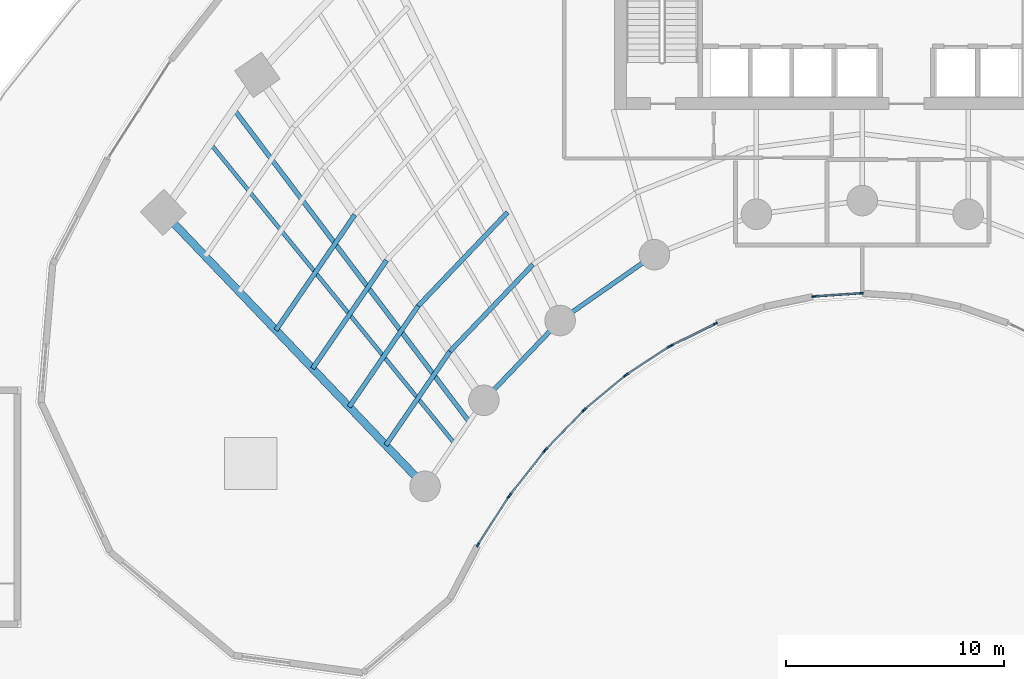
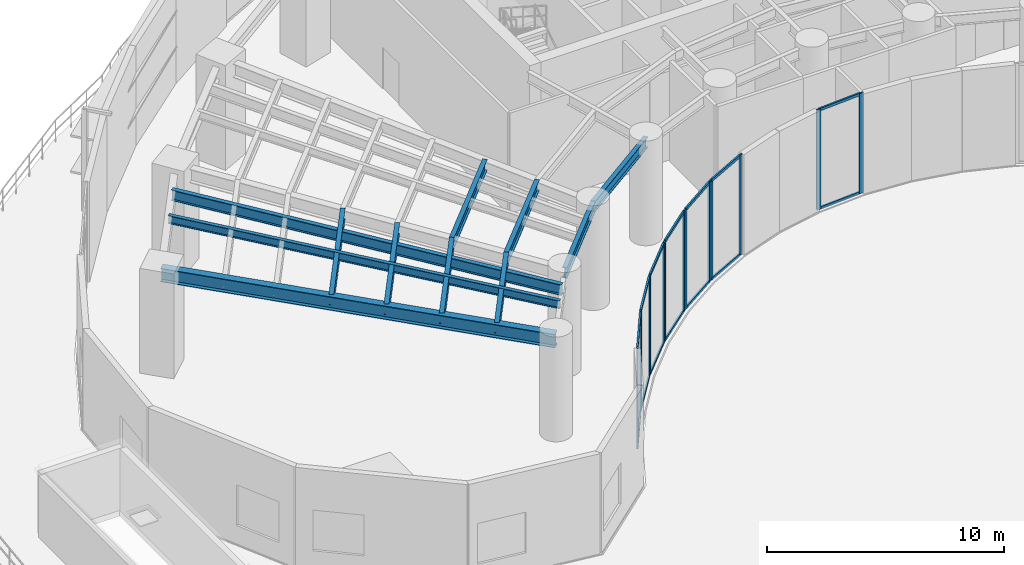
# One storey, part 2 of 17: 28 members, 11 beams, 7 elements without a shape of their own.
"""IFC4 building model written with IfcOpenShell, lengths in metres."""

from ifc_helpers import new_model, si_unit, direction, frame, origin, origin_2d, place, context, subcontext, project, spatial, rectangle, i_section, extrude, source, transform, mapped, material, layer, layer_set, material_profile, profile_set, type_object, type_shapes, element, aggregate, save


model = new_model("IFC4")

# Units and contexts
model_context = context("Model", 3, precision=1e-05, world=origin(), true_north=direction((0.0, 1.0)))
body_context = subcontext(model_context, "Body", "Model", "MODEL_VIEW")
ifc_project = project(units=[si_unit("LENGTHUNIT", "METRE"), si_unit("AREAUNIT", "SQUARE_METRE"), si_unit("VOLUMEUNIT", "CUBIC_METRE"), si_unit("PLANEANGLEUNIT", "RADIAN"), si_unit("MASSUNIT", "GRAM", prefix="KILO")], contexts=[model_context])

# Site, building, storey
site_placement = place(None, origin())
site = spatial("IfcSite", under=ifc_project, at=site_placement, CompositionType="ELEMENT")
building_placement = place(site_placement, origin())
building = spatial("IfcBuilding", under=site, at=building_placement, Name="Breltana Convention Tower", CompositionType="ELEMENT")
storey_placement = place(building_placement, frame((0.0, 0.0, 30.0)))
storey = spatial("IfcBuildingStorey", under=building, at=storey_placement, Name="L05", CompositionType="ELEMENT", Elevation=30.0)

# Beams
ifc_material_1 = material(Name="Steel ASTM A992 Grade 50", Category="steel")
ifc_material_profile_1 = material_profile(ifc_material_1, i_section(OverallWidth=0.35498046875, OverallDepth=0.696044921875, WebThickness=0.015380859375, FlangeThickness=0.02490234375, at=origin_2d()), Name="W27X146")
ifc_profile_set_1 = profile_set([ifc_material_profile_1], Name="Steel ASTM A992 Grade 50")
beam_type_1 = type_object("IfcBeamType", Name="BM-RG-W27X146", PredefinedType="USERDEFINED", material=ifc_profile_set_1)
shared_shape_1 = source(origin(), body_context, "Body", "SweptSolid", [
    extrude(i_section(OverallWidth=0.35498046875, OverallDepth=0.696044921875, WebThickness=0.015380859375, FlangeThickness=0.02490234375, at=origin_2d()), origin(), (0.0, 0.0, 1.0), 17.341064453125),
])
type_shapes(beam_type_1, [shared_shape_1])
beam_1_placement = place(storey_placement, frame((27.984619140625, 42.95458984375, 4.81201171875), z_axis=(-0.690716462293, 0.723125693581, 0.0), x_axis=(-0.723125693581, -0.690716462293, 0.0)))
element("IfcBeam", 1, at=beam_1_placement, inside=storey, type_object=beam_type_1, Name="L05 Radial Floor Girder R01", ObjectType="GIRDER", PredefinedType="USERDEFINED", context=body_context, shape_type="MappedRepresentation", body=[
    mapped(shared_shape_1, transform((0.0, 0.0, 0.0), scale=1.0)),
])
ifc_material_profile_2 = material_profile(ifc_material_1, i_section(OverallWidth=0.214111328125, OverallDepth=0.549072265625, WebThickness=0.0146484375, FlangeThickness=0.023681640625, at=origin_2d()), Name="W21X93")
ifc_profile_set_2 = profile_set([ifc_material_profile_2], Name="Steel ASTM A992 Grade 50")
beam_type_2 = type_object("IfcBeamType", Name="BM-JSG-03", PredefinedType="JOIST", material=ifc_profile_set_2)
shared_shape_2 = source(origin(), body_context, "Body", "SweptSolid", [
    extrude(i_section(OverallWidth=0.214111328125, OverallDepth=0.549072265625, WebThickness=0.0146484375, FlangeThickness=0.023681640625, at=origin_2d()), origin(), (0.0, 0.0, 1.0), 5.198486328125),
])
type_shapes(beam_type_2, [shared_shape_2])
beam_2_placement = place(storey_placement, frame((26.187744140625, 44.835693359375, 4.885498046875), z_axis=(0.564502073134, 0.825431650367, 0.0), x_axis=(-0.825431650367, 0.564502073134, 0.0)))
element("IfcBeam", 2, at=beam_2_placement, inside=storey, type_object=beam_type_2, Name="L05 Composite Floor Joist 01.1", PredefinedType="JOIST", context=body_context, shape_type="MappedRepresentation", body=[
    mapped(shared_shape_2, transform((0.0, 0.0, 0.0), scale=1.0)),
])
shared_shape_3 = source(origin(), body_context, "Body", "SweptSolid", [
    extrude(i_section(OverallWidth=0.214111328125, OverallDepth=0.549072265625, WebThickness=0.0146484375, FlangeThickness=0.023681640625, at=origin_2d()), origin(), (0.0, 0.0, 1.0), 5.59814453125),
])
beam_3_placement = place(storey_placement, frame((24.510986328125, 46.59130859375, 4.885498046875), z_axis=(0.564454073219, 0.825464474842, 0.0), x_axis=(-0.825464474842, 0.564454073219, 0.0)))
element("IfcBeam", 3, at=beam_3_placement, inside=storey, type_object=beam_type_2, Name="L05 Composite Floor Joist 01.2", PredefinedType="JOIST", context=body_context, shape_type="MappedRepresentation", body=[
    mapped(shared_shape_3, transform((0.0, 0.0, 0.0), scale=1.0)),
])
shared_shape_4 = source(origin(), body_context, "Body", "SweptSolid", [
    extrude(i_section(OverallWidth=0.214111328125, OverallDepth=0.549072265625, WebThickness=0.0146484375, FlangeThickness=0.023681640625, at=origin_2d()), origin(), (0.0, 0.0, 1.0), 5.998046875),
])
beam_4_placement = place(storey_placement, frame((22.833984375, 48.3466796875, 4.885498046875), z_axis=(0.564467940449, 0.825454992235, 0.0), x_axis=(-0.825454992235, 0.564467940449, 0.0)))
element("IfcBeam", 4, at=beam_4_placement, inside=storey, type_object=beam_type_2, Name="L05 Composite Floor Joist 01.3", PredefinedType="JOIST", context=body_context, shape_type="MappedRepresentation", body=[
    mapped(shared_shape_4, transform((0.0, 0.0, 0.0), scale=1.0)),
])
shared_shape_5 = source(origin(), body_context, "Body", "SweptSolid", [
    extrude(i_section(OverallWidth=0.214111328125, OverallDepth=0.549072265625, WebThickness=0.0146484375, FlangeThickness=0.023681640625, at=origin_2d()), origin(), (0.0, 0.0, 1.0), 6.3974609375),
])
beam_5_placement = place(storey_placement, frame((21.1572265625, 50.102294921875, 4.885498046875), z_axis=(0.564445851125, 0.825470097065, 0.0), x_axis=(-0.825470097065, 0.564445851125, 0.0)))
element("IfcBeam", 5, at=beam_5_placement, inside=storey, type_object=beam_type_2, Name="L05 Composite Floor Joist 01.4", PredefinedType="JOIST", context=body_context, shape_type="MappedRepresentation", body=[
    mapped(shared_shape_5, transform((0.0, 0.0, 0.0), scale=1.0)),
])
ifc_material_profile_3 = material_profile(ifc_material_1, i_section(OverallWidth=0.179931640625, OverallDepth=0.4130859375, WebThickness=0.009765625, FlangeThickness=0.01611328125, at=origin_2d()), Name="W16X50")
ifc_profile_set_3 = profile_set([ifc_material_profile_3], Name="Steel ASTM A992 Grade 50")
beam_type_3 = type_object("IfcBeamType", Name="BM-JSG-08", PredefinedType="JOIST", material=ifc_profile_set_3)
shared_shape_6 = source(origin(), body_context, "Body", "SweptSolid", [
    extrude(i_section(OverallWidth=0.179931640625, OverallDepth=0.4130859375, WebThickness=0.009765625, FlangeThickness=0.01611328125, at=origin_2d()), origin(), (0.0, 0.0, 1.0), 17.691650390625),
])
type_shapes(beam_type_3, [shared_shape_6])
beam_6_placement = place(storey_placement, frame((29.330810546875, 44.923583984375, 4.95361328125), z_axis=(-0.631476958478, 0.775394642044, 0.0), x_axis=(-0.775394642044, -0.631476958478, 0.0)))
element("IfcBeam", 6, at=beam_6_placement, inside=storey, type_object=beam_type_3, Name="L05 Mid-Bay Radial Trimmer 01", PredefinedType="JOIST", context=body_context, shape_type="MappedRepresentation", body=[
    mapped(shared_shape_6, transform((0.0, 0.0, 0.0), scale=1.0)),
])
shared_shape_7 = source(origin(), body_context, "Body", "SweptSolid", [
    extrude(i_section(OverallWidth=0.214111328125, OverallDepth=0.549072265625, WebThickness=0.0146484375, FlangeThickness=0.023681640625, at=origin_2d()), origin(), (0.0, 0.0, 1.0), 17.9072265625),
])
beam_7_placement = place(storey_placement, frame((30.00390625, 45.907958984375, 4.885498046875), z_axis=(-0.601382105028, 0.798961553363, 0.0), x_axis=(-0.798961553363, -0.601382105028, 0.0)))
element("IfcBeam", 7, at=beam_7_placement, inside=storey, type_object=beam_type_2, Name="L05 Quarter-Bay Radial Trimmer 01", PredefinedType="JOIST", context=body_context, shape_type="MappedRepresentation", body=[
    mapped(shared_shape_7, transform((0.0, 0.0, 0.0), scale=1.0)),
])
ifc_material_profile_4 = material_profile(ifc_material_1, i_section(OverallWidth=0.2099609375, OverallDepth=0.537109375, WebThickness=0.010986328125, FlangeThickness=0.017333984375, at=origin_2d()), Name="W21X68")
ifc_profile_set_4 = profile_set([ifc_material_profile_4], Name="Steel ASTM A992 Grade 50")
beam_type_4 = type_object("IfcBeamType", Name="BM-BM-W21X68", PredefinedType="BEAM", material=ifc_profile_set_4)
shared_shape_8 = source(origin(), body_context, "Body", "SweptSolid", [
    extrude(i_section(OverallWidth=0.2099609375, OverallDepth=0.537109375, WebThickness=0.010986328125, FlangeThickness=0.017333984375, at=origin_2d()), origin(), (0.0, 0.0, 1.0), 5.05126953125),
])
beam_8_placement = place(storey_placement, frame((30.67724609375, 46.892333984375, 4.8916015625), z_axis=(0.690729753845, 0.7231129975, 0.0), x_axis=(-0.7231129975, 0.690729753845, 0.0)))
element("IfcBeam", 8, at=beam_8_placement, inside=storey, type_object=beam_type_4, Name="L05 Inner Ring Beam 02", PredefinedType="BEAM", context=body_context, shape_type="MappedRepresentation", body=[
    mapped(shared_shape_8, transform((0.0, 0.0, 0.0), scale=1.0)),
])
shared_shape_9 = source(origin(), body_context, "Body", "SweptSolid", [
    extrude(i_section(OverallWidth=0.214111328125, OverallDepth=0.549072265625, WebThickness=0.0146484375, FlangeThickness=0.023681640625, at=origin_2d()), origin(), (0.0, 0.0, 1.0), 5.504638671875),
])
beam_9_placement = place(storey_placement, frame((29.122314453125, 49.126708984375, 4.885498046875), z_axis=(0.690687741728, 0.72315312585, 0.0), x_axis=(-0.72315312585, 0.690687741728, 0.0)))
element("IfcBeam", 9, at=beam_9_placement, inside=storey, type_object=beam_type_2, Name="L05 Composite Floor Joist 02.1", PredefinedType="JOIST", context=body_context, shape_type="MappedRepresentation", body=[
    mapped(shared_shape_9, transform((0.0, 0.0, 0.0), scale=1.0)),
])
shared_shape_10 = source(origin(), body_context, "Body", "SweptSolid", [
    extrude(i_section(OverallWidth=0.214111328125, OverallDepth=0.549072265625, WebThickness=0.0146484375, FlangeThickness=0.023681640625, at=origin_2d()), origin(), (0.0, 0.0, 1.0), 5.927734375),
])
beam_10_placement = place(storey_placement, frame((27.6708984375, 51.21240234375, 4.885498046875), z_axis=(0.69073528717, 0.723107711934, 0.0), x_axis=(-0.723107711934, 0.69073528717, 0.0)))
element("IfcBeam", 10, at=beam_10_placement, inside=storey, type_object=beam_type_2, Name="L05 Composite Floor Joist 02.2", PredefinedType="JOIST", context=body_context, shape_type="MappedRepresentation", body=[
    mapped(shared_shape_10, transform((0.0, 0.0, 0.0), scale=1.0)),
])
shared_shape_11 = source(origin(), body_context, "Body", "SweptSolid", [
    extrude(i_section(OverallWidth=0.2099609375, OverallDepth=0.537109375, WebThickness=0.010986328125, FlangeThickness=0.017333984375, at=origin_2d()), origin(), (0.0, 0.0, 1.0), 5.265869140625),
])
beam_11_placement = place(storey_placement, frame((34.166259765625, 50.544921875, 4.8916015625), z_axis=(0.820167429517, 0.572123577176, 0.0), x_axis=(-0.572123577176, 0.820167429517, 0.0)))
element("IfcBeam", 11, at=beam_11_placement, inside=storey, type_object=beam_type_4, Name="L05 Inner Ring Beam 03", PredefinedType="BEAM", context=body_context, shape_type="MappedRepresentation", body=[
    mapped(shared_shape_11, transform((0.0, 0.0, 0.0), scale=1.0)),
])

# Curtain wall, members
ifc_material_2 = material(Name="Aluminium Anodised Bronze Frame", Category="aluminium")
ifc_layer = layer(ifc_material_2, 0.18994140625, Name="Aluminium Anodised Bronze Frame")
ifc_layer_set = layer_set([ifc_layer], Name="Aluminium Anodised Bronze Frame")
curtain_wall_type = type_object("IfcCurtainWallType", Name="CW-SYS-1", PredefinedType="NOTDEFINED", material=ifc_layer_set)
curtain_wall_1_placement = place(storey_placement, origin())
curtain_wall_1 = element("IfcCurtainWall", 12, at=curtain_wall_1_placement, inside=storey, type_object=curtain_wall_type, Name="L05 inner south-court glazing 7", PredefinedType="NOTDEFINED")
ifc_material_3 = material(Name="Aluminium Anodised Bronze", Category="aluminium")
ifc_material_profile_5 = material_profile(ifc_material_3, rectangle(XDim=0.080078125, YDim=0.199951171875, at=origin_2d()), Name="CWM-80X200")
ifc_profile_set_5 = profile_set([ifc_material_profile_5], Name="Aluminium Anodised Bronze")
member_type_1 = type_object("IfcMemberType", Name="CWM-200", PredefinedType="MULLION", material=ifc_profile_set_5)
shared_shape_12 = source(origin(), body_context, "Body", "SweptSolid", [
    extrude(rectangle(XDim=0.080078125, YDim=0.199951171875, at=origin_2d()), origin(), (0.0, 0.0, 1.0), 5.159912109375),
])
type_shapes(member_type_1, [shared_shape_12])
member_1_placement = place(storey_placement, frame((47.947998046875, 51.790771484375, 0.0), z_axis=(0.0, 0.0, 1.0), x_axis=(0.067725752326, -0.997703975371, 0.0)))
member_1 = element("IfcMember", 13, at=member_1_placement, type_object=member_type_1, Name="CW-01 mullion 1", PredefinedType="MULLION", context=body_context, shape_type="MappedRepresentation", body=[
    mapped(shared_shape_12, transform((0.0, 0.0, 0.0), scale=1.0)),
])
member_2_placement = place(storey_placement, frame((45.79443359375, 51.644775390625, 0.0), z_axis=(0.0, 0.0, 1.0), x_axis=(0.067725752326, -0.997703975371, 0.0)))
member_2 = element("IfcMember", 14, at=member_2_placement, type_object=member_type_1, Name="CW-01 mullion 2", PredefinedType="MULLION", context=body_context, shape_type="MappedRepresentation", body=[
    mapped(shared_shape_12, transform((0.0, 0.0, 0.0), scale=1.0)),
])

curtain_wall_2_placement = place(storey_placement, origin())
curtain_wall_2 = element("IfcCurtainWall", 15, at=curtain_wall_2_placement, inside=storey, type_object=curtain_wall_type, Name="L05 inner south-court glazing 8", PredefinedType="NOTDEFINED")
member_3_placement = place(storey_placement, frame((41.275390625, 50.40234375, 0.0), z_axis=(0.0, 0.0, 1.0), x_axis=(0.444117987602, -0.895968310315, 0.0)))
member_3 = element("IfcMember", 16, at=member_3_placement, type_object=member_type_1, Name="CW-01 mullion 1", PredefinedType="MULLION", context=body_context, shape_type="MappedRepresentation", body=[
    mapped(shared_shape_12, transform((0.0, 0.0, 0.0), scale=1.0)),
])
member_4_placement = place(storey_placement, frame((39.249755859375, 49.3984375, 0.0), z_axis=(0.0, 0.0, 1.0), x_axis=(0.444117987602, -0.895968310315, 0.0)))
member_4 = element("IfcMember", 17, at=member_4_placement, type_object=member_type_1, Name="CW-01 mullion 2", PredefinedType="MULLION", context=body_context, shape_type="MappedRepresentation", body=[
    mapped(shared_shape_12, transform((0.0, 0.0, 0.0), scale=1.0)),
])

curtain_wall_3_placement = place(storey_placement, origin())
curtain_wall_3 = element("IfcCurtainWall", 18, at=curtain_wall_3_placement, inside=storey, type_object=curtain_wall_type, Name="L05 inner south-court glazing 9", PredefinedType="NOTDEFINED")
member_5_placement = place(storey_placement, frame((39.16162109375, 49.347900390625, 0.0), z_axis=(0.0, 0.0, 1.0), x_axis=(0.548778278441, -0.835967942634, 0.0)))
member_5 = element("IfcMember", 19, at=member_5_placement, type_object=member_type_1, Name="CW-01 mullion 1", PredefinedType="MULLION", context=body_context, shape_type="MappedRepresentation", body=[
    mapped(shared_shape_12, transform((0.0, 0.0, 0.0), scale=1.0)),
])
member_6_placement = place(storey_placement, frame((37.220458984375, 48.073486328125, 0.0), z_axis=(0.0, 0.0, 1.0), x_axis=(0.548778278441, -0.835967942634, 0.0)))
member_6 = element("IfcMember", 20, at=member_6_placement, type_object=member_type_1, Name="CW-01 mullion 2", PredefinedType="MULLION", context=body_context, shape_type="MappedRepresentation", body=[
    mapped(shared_shape_12, transform((0.0, 0.0, 0.0), scale=1.0)),
])

curtain_wall_4_placement = place(storey_placement, origin())
curtain_wall_4 = element("IfcCurtainWall", 21, at=curtain_wall_4_placement, inside=storey, type_object=curtain_wall_type, Name="L05 inner south-court glazing 10", PredefinedType="NOTDEFINED")
member_7_placement = place(storey_placement, frame((37.1396484375, 48.013671875, 0.0), z_axis=(0.0, 0.0, 1.0), x_axis=(0.640522524458, -0.767939382804, 0.0)))
member_7 = element("IfcMember", 22, at=member_7_placement, type_object=member_type_1, Name="CW-01 mullion 1", PredefinedType="MULLION", context=body_context, shape_type="MappedRepresentation", body=[
    mapped(shared_shape_12, transform((0.0, 0.0, 0.0), scale=1.0)),
])
member_8_placement = place(storey_placement, frame((35.302734375, 46.481201171875, 0.0), z_axis=(0.0, 0.0, 1.0), x_axis=(0.640522524458, -0.767939382804, 0.0)))
member_8 = element("IfcMember", 23, at=member_8_placement, type_object=member_type_1, Name="CW-01 mullion 2", PredefinedType="MULLION", context=body_context, shape_type="MappedRepresentation", body=[
    mapped(shared_shape_12, transform((0.0, 0.0, 0.0), scale=1.0)),
])

curtain_wall_5_placement = place(storey_placement, origin())
curtain_wall_5 = element("IfcCurtainWall", 24, at=curtain_wall_5_placement, inside=storey, type_object=curtain_wall_type, Name="L05 inner south-court glazing 11", PredefinedType="NOTDEFINED")
member_9_placement = place(storey_placement, frame((35.22998046875, 46.413818359375, 0.0), z_axis=(0.0, 0.0, 1.0), x_axis=(0.719384548773, -0.694612029111, 0.0)))
member_9 = element("IfcMember", 25, at=member_9_placement, type_object=member_type_1, Name="CW-01 mullion 1", PredefinedType="MULLION", context=body_context, shape_type="MappedRepresentation", body=[
    mapped(shared_shape_12, transform((0.0, 0.0, 0.0), scale=1.0)),
])
member_10_placement = place(storey_placement, frame((33.51611328125, 44.638916015625, 0.0), z_axis=(0.0, 0.0, 1.0), x_axis=(0.719384548773, -0.694612029111, 0.0)))
member_10 = element("IfcMember", 26, at=member_10_placement, type_object=member_type_1, Name="CW-01 mullion 2", PredefinedType="MULLION", context=body_context, shape_type="MappedRepresentation", body=[
    mapped(shared_shape_12, transform((0.0, 0.0, 0.0), scale=1.0)),
])

curtain_wall_6_placement = place(storey_placement, origin())
curtain_wall_6 = element("IfcCurtainWall", 27, at=curtain_wall_6_placement, inside=storey, type_object=curtain_wall_type, Name="L05 inner south-court glazing 12", PredefinedType="NOTDEFINED")
member_11_placement = place(storey_placement, frame((33.45166015625, 44.56494140625, 0.0), z_axis=(0.0, 0.0, 1.0), x_axis=(0.786057762734, -0.61815305034, 0.0)))
member_11 = element("IfcMember", 28, at=member_11_placement, type_object=member_type_1, Name="CW-01 mullion 1", PredefinedType="MULLION", context=body_context, shape_type="MappedRepresentation", body=[
    mapped(shared_shape_12, transform((0.0, 0.0, 0.0), scale=1.0)),
])
member_12_placement = place(storey_placement, frame((31.87890625, 42.565185546875, 0.0), z_axis=(0.0, 0.0, 1.0), x_axis=(0.786057762734, -0.61815305034, 0.0)))
member_12 = element("IfcMember", 29, at=member_12_placement, type_object=member_type_1, Name="CW-01 mullion 2", PredefinedType="MULLION", context=body_context, shape_type="MappedRepresentation", body=[
    mapped(shared_shape_12, transform((0.0, 0.0, 0.0), scale=1.0)),
])

curtain_wall_7_placement = place(storey_placement, origin())
curtain_wall_7 = element("IfcCurtainWall", 30, at=curtain_wall_7_placement, inside=storey, type_object=curtain_wall_type, Name="L05 inner south-court glazing 13", PredefinedType="NOTDEFINED")
member_13_placement = place(storey_placement, frame((31.82275390625, 42.48583984375, 0.0), z_axis=(0.0, 0.0, 1.0), x_axis=(0.841556194767, -0.540169576197, 0.0)))
member_13 = element("IfcMember", 31, at=member_13_placement, type_object=member_type_1, Name="CW-01 mullion 1", PredefinedType="MULLION", context=body_context, shape_type="MappedRepresentation", body=[
    mapped(shared_shape_12, transform((0.0, 0.0, 0.0), scale=1.0)),
])
member_14_placement = place(storey_placement, frame((30.40771484375, 40.281494140625, 0.0), z_axis=(0.0, 0.0, 1.0), x_axis=(0.841556194767, -0.540169576197, 0.0)))
member_14 = element("IfcMember", 32, at=member_14_placement, type_object=member_type_1, Name="CW-01 mullion 2", PredefinedType="MULLION", context=body_context, shape_type="MappedRepresentation", body=[
    mapped(shared_shape_12, transform((0.0, 0.0, 0.0), scale=1.0)),
])

# Member
ifc_material_profile_6 = material_profile(ifc_material_3, rectangle(XDim=0.080078125, YDim=0.139892578125, at=origin_2d()), Name="CWT-80X140")
ifc_profile_set_6 = profile_set([ifc_material_profile_6], Name="Aluminium Anodised Bronze")
member_type_2 = type_object("IfcMemberType", Name="CWT-140", PredefinedType="USERDEFINED", material=ifc_profile_set_6)
shared_shape_13 = source(origin(), body_context, "Body", "SweptSolid", [
    extrude(rectangle(XDim=0.080078125, YDim=0.139892578125, at=origin_2d()), origin(), (0.0, 0.0, 1.0), 2.38720703125),
])
type_shapes(member_type_2, [shared_shape_13])
member_15_placement = place(storey_placement, frame((35.2021484375, 46.385009765625, 0.0400390625), z_axis=(-0.694623715393, -0.719373264734, 0.0), x_axis=(0.719373264734, -0.694623715393, 0.0)))
member_15 = element("IfcMember", 33, at=member_15_placement, type_object=member_type_2, Name="CW-01 transom 1.1", ObjectType="TRANSOM", PredefinedType="USERDEFINED", context=body_context, shape_type="MappedRepresentation", body=[
    mapped(shared_shape_13, transform((0.0, 0.0, 0.0), scale=1.0)),
])

member_16_placement = place(storey_placement, frame((35.2021484375, 46.385009765625, 5.1201171875), z_axis=(-0.694623715393, -0.719373264734, 0.0), x_axis=(0.719373264734, -0.694623715393, 0.0)))
member_16 = element("IfcMember", 34, at=member_16_placement, type_object=member_type_2, Name="CW-01 transom 1.2", ObjectType="TRANSOM", PredefinedType="USERDEFINED", context=body_context, shape_type="MappedRepresentation", body=[
    mapped(shared_shape_13, transform((0.0, 0.0, 0.0), scale=1.0)),
])

aggregate(curtain_wall_5, [member_9, member_10, member_15, member_16])

shared_shape_14 = source(origin(), body_context, "Body", "SweptSolid", [
    extrude(rectangle(XDim=0.080078125, YDim=0.139892578125, at=origin_2d()), origin(), (0.0, 0.0, 1.0), 2.312255859375),
])
member_17_placement = place(storey_placement, frame((37.10888671875, 47.988037109375, 0.0400390625), z_axis=(-0.767900974507, -0.640568570374, 0.0), x_axis=(0.640568570374, -0.767900974507, 0.0)))
member_17 = element("IfcMember", 35, at=member_17_placement, type_object=member_type_2, Name="CW-01 transom 1.1", ObjectType="TRANSOM", PredefinedType="USERDEFINED", context=body_context, shape_type="MappedRepresentation", body=[
    mapped(shared_shape_14, transform((0.0, 0.0, 0.0), scale=1.0)),
])

member_18_placement = place(storey_placement, frame((37.10888671875, 47.988037109375, 5.1201171875), z_axis=(-0.767900974507, -0.640568570374, 0.0), x_axis=(0.640568570374, -0.767900974507, 0.0)))
member_18 = element("IfcMember", 36, at=member_18_placement, type_object=member_type_2, Name="CW-01 transom 1.2", ObjectType="TRANSOM", PredefinedType="USERDEFINED", context=body_context, shape_type="MappedRepresentation", body=[
    mapped(shared_shape_14, transform((0.0, 0.0, 0.0), scale=1.0)),
])

aggregate(curtain_wall_4, [member_7, member_8, member_17, member_18])

shared_shape_15 = source(origin(), body_context, "Body", "SweptSolid", [
    extrude(rectangle(XDim=0.080078125, YDim=0.139892578125, at=origin_2d()), origin(), (0.0, 0.0, 1.0), 2.2421875),
])
member_19_placement = place(storey_placement, frame((39.128173828125, 49.325927734375, 0.0400390625), z_axis=(-0.835982353773, -0.548756324957, 0.0), x_axis=(0.548756324957, -0.835982353773, 0.0)))
member_19 = element("IfcMember", 37, at=member_19_placement, type_object=member_type_2, Name="CW-01 transom 1.1", ObjectType="TRANSOM", PredefinedType="USERDEFINED", context=body_context, shape_type="MappedRepresentation", body=[
    mapped(shared_shape_15, transform((0.0, 0.0, 0.0), scale=1.0)),
])

member_20_placement = place(storey_placement, frame((39.128173828125, 49.325927734375, 5.1201171875), z_axis=(-0.835982353773, -0.548756324957, 0.0), x_axis=(0.548756324957, -0.835982353773, 0.0)))
member_20 = element("IfcMember", 38, at=member_20_placement, type_object=member_type_2, Name="CW-01 transom 1.2", ObjectType="TRANSOM", PredefinedType="USERDEFINED", context=body_context, shape_type="MappedRepresentation", body=[
    mapped(shared_shape_15, transform((0.0, 0.0, 0.0), scale=1.0)),
])

aggregate(curtain_wall_3, [member_5, member_6, member_19, member_20])

shared_shape_16 = source(origin(), body_context, "Body", "SweptSolid", [
    extrude(rectangle(XDim=0.080078125, YDim=0.139892578125, at=origin_2d()), origin(), (0.0, 0.0, 1.0), 2.180908203125),
])
member_21_placement = place(storey_placement, frame((41.239501953125, 50.384765625, 0.0400390625), z_axis=(-0.895922266369, -0.444210865045, 0.0), x_axis=(0.444210865045, -0.895922266369, 0.0)))
member_21 = element("IfcMember", 39, at=member_21_placement, type_object=member_type_2, Name="CW-01 transom 1.1", ObjectType="TRANSOM", PredefinedType="USERDEFINED", context=body_context, shape_type="MappedRepresentation", body=[
    mapped(shared_shape_16, transform((0.0, 0.0, 0.0), scale=1.0)),
])

member_22_placement = place(storey_placement, frame((41.239501953125, 50.384765625, 5.1201171875), z_axis=(-0.895922266369, -0.444210865045, 0.0), x_axis=(0.444210865045, -0.895922266369, 0.0)))
member_22 = element("IfcMember", 40, at=member_22_placement, type_object=member_type_2, Name="CW-01 transom 1.2", ObjectType="TRANSOM", PredefinedType="USERDEFINED", context=body_context, shape_type="MappedRepresentation", body=[
    mapped(shared_shape_16, transform((0.0, 0.0, 0.0), scale=1.0)),
])

aggregate(curtain_wall_2, [member_3, member_4, member_21, member_22])

shared_shape_17 = source(origin(), body_context, "Body", "SweptSolid", [
    extrude(rectangle(XDim=0.080078125, YDim=0.139892578125, at=origin_2d()), origin(), (0.0, 0.0, 1.0), 2.07861328125),
])
member_23_placement = place(storey_placement, frame((47.907958984375, 51.7880859375, 0.0400390625), z_axis=(-0.997708627147, -0.067657189691, 0.0), x_axis=(0.067657189691, -0.997708627147, 0.0)))
member_23 = element("IfcMember", 41, at=member_23_placement, type_object=member_type_2, Name="CW-01 transom 1.1", ObjectType="TRANSOM", PredefinedType="USERDEFINED", context=body_context, shape_type="MappedRepresentation", body=[
    mapped(shared_shape_17, transform((0.0, 0.0, 0.0), scale=1.0)),
])

member_24_placement = place(storey_placement, frame((47.907958984375, 51.7880859375, 5.1201171875), z_axis=(-0.997708627147, -0.067657189691, 0.0), x_axis=(0.067657189691, -0.997708627147, 0.0)))
member_24 = element("IfcMember", 42, at=member_24_placement, type_object=member_type_2, Name="CW-01 transom 1.2", ObjectType="TRANSOM", PredefinedType="USERDEFINED", context=body_context, shape_type="MappedRepresentation", body=[
    mapped(shared_shape_17, transform((0.0, 0.0, 0.0), scale=1.0)),
])

aggregate(curtain_wall_1, [member_1, member_2, member_23, member_24])

shared_shape_18 = source(origin(), body_context, "Body", "SweptSolid", [
    extrude(rectangle(XDim=0.080078125, YDim=0.139892578125, at=origin_2d()), origin(), (0.0, 0.0, 1.0), 2.4638671875),
])
member_25_placement = place(storey_placement, frame((33.427001953125, 44.533447265625, 0.0400390625), z_axis=(-0.618184689608, -0.786032880695, 0.0), x_axis=(0.786032880695, -0.618184689608, 0.0)))
member_25 = element("IfcMember", 43, at=member_25_placement, type_object=member_type_2, Name="CW-01 transom 1.1", ObjectType="TRANSOM", PredefinedType="USERDEFINED", context=body_context, shape_type="MappedRepresentation", body=[
    mapped(shared_shape_18, transform((0.0, 0.0, 0.0), scale=1.0)),
])

member_26_placement = place(storey_placement, frame((33.427001953125, 44.533447265625, 5.1201171875), z_axis=(-0.618184689608, -0.786032880695, 0.0), x_axis=(0.786032880695, -0.618184689608, 0.0)))
member_26 = element("IfcMember", 44, at=member_26_placement, type_object=member_type_2, Name="CW-01 transom 1.2", ObjectType="TRANSOM", PredefinedType="USERDEFINED", context=body_context, shape_type="MappedRepresentation", body=[
    mapped(shared_shape_18, transform((0.0, 0.0, 0.0), scale=1.0)),
])

aggregate(curtain_wall_6, [member_11, member_12, member_25, member_26])

shared_shape_19 = source(origin(), body_context, "Body", "SweptSolid", [
    extrude(rectangle(XDim=0.080078125, YDim=0.139892578125, at=origin_2d()), origin(), (0.0, 0.0, 1.0), 2.53955078125),
])
member_27_placement = place(storey_placement, frame((31.801025390625, 42.452392578125, 0.0400390625), z_axis=(-0.540174413174, -0.841553090038, 0.0), x_axis=(0.841553090038, -0.540174413174, 0.0)))
member_27 = element("IfcMember", 45, at=member_27_placement, type_object=member_type_2, Name="CW-01 transom 1.1", ObjectType="TRANSOM", PredefinedType="USERDEFINED", context=body_context, shape_type="MappedRepresentation", body=[
    mapped(shared_shape_19, transform((0.0, 0.0, 0.0), scale=1.0)),
])

member_28_placement = place(storey_placement, frame((31.801025390625, 42.452392578125, 5.1201171875), z_axis=(-0.540174413174, -0.841553090038, 0.0), x_axis=(0.841553090038, -0.540174413174, 0.0)))
member_28 = element("IfcMember", 46, at=member_28_placement, type_object=member_type_2, Name="CW-01 transom 1.2", ObjectType="TRANSOM", PredefinedType="USERDEFINED", context=body_context, shape_type="MappedRepresentation", body=[
    mapped(shared_shape_19, transform((0.0, 0.0, 0.0), scale=1.0)),
])

aggregate(curtain_wall_7, [member_13, member_14, member_27, member_28])

save(model, "model.ifc")
